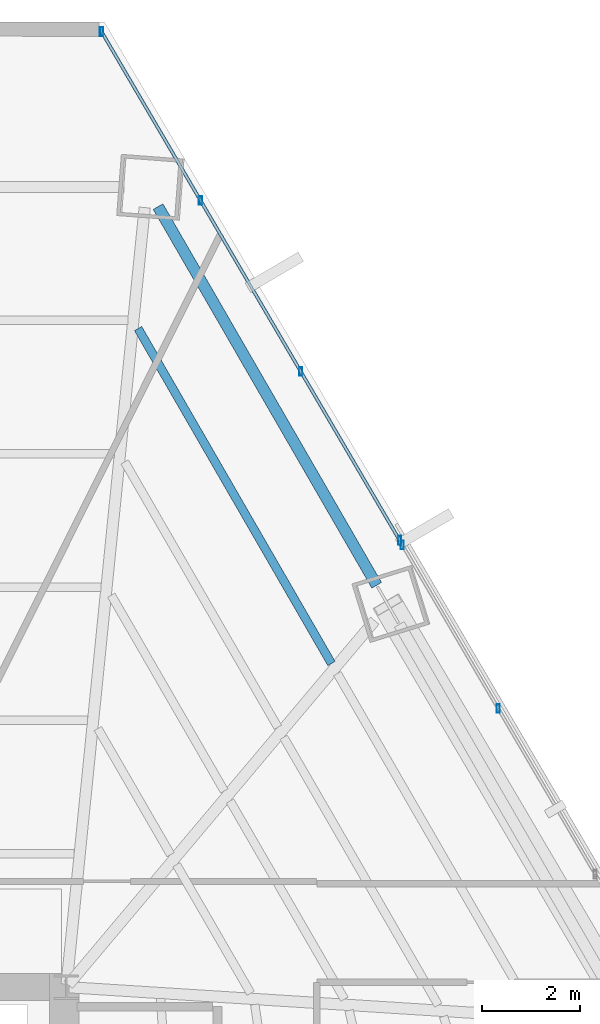
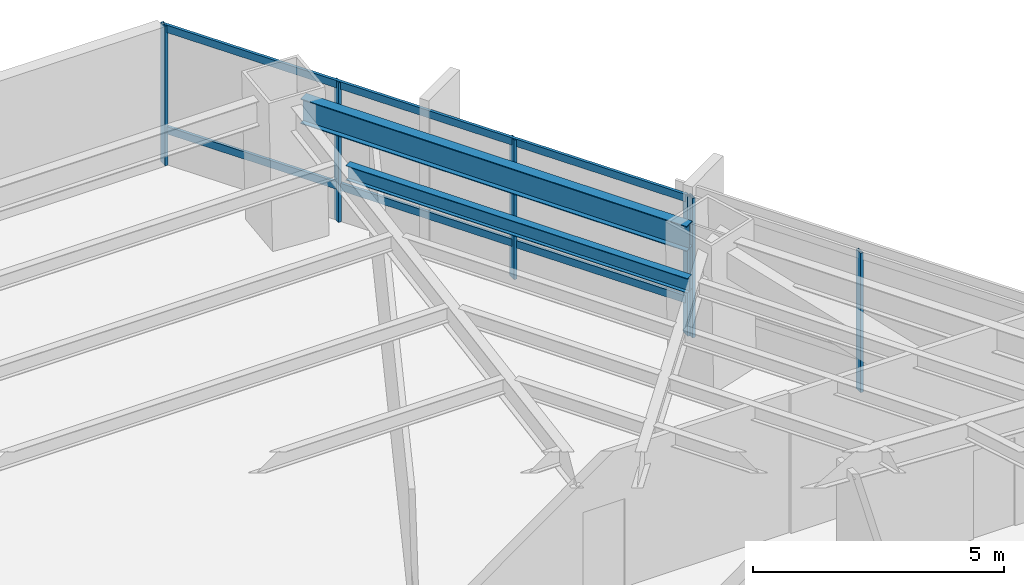
# One storey, part 22 of 29: 8 members, 2 beams, 2 elements without a shape of their own.
"""IFC4 building model written with IfcOpenShell, lengths in metres."""

import ifcopenshell
import ifcopenshell.guid

model = None  # the IFC model being written
_history = None  # IfcOwnerHistory: only IFC2X3 demands one
_inside = {}  # id of a spatial element -> (the spatial element, [elements in it])
_under = {}  # id of a project, library or spatial element -> (it, [spatial elements below it])
_declared = {}  # id of a project -> (the project, [libraries it declares])
_typed = {}  # id of a type object -> (the type object, [elements of that type])
_made_of = {}  # id of a material, layer set ... -> (it, [elements and type objects made of it])


def new_model(schema):
    """Start an empty IFC model of exactly this schema.

    Asked for "IFC4X3", IfcOpenShell would pick the latest addendum, in which some entities
    have other attributes; the version numbers below select the first issue.
    IFC2X3 requires an IfcOwnerHistory on every rooted entity: one is made here for all.
    """
    global model, _history
    if schema == "IFC4X3":
        model = ifcopenshell.file(schema_version=(4, 3, 0, 0))
    else:
        model = ifcopenshell.file(schema=schema)
    _inside.clear()
    _under.clear()
    _declared.clear()
    _typed.clear()
    _made_of.clear()
    _history = None
    if model.schema == "IFC2X3":
        org = make("IfcOrganization", Name="unknown")
        user = make(
            "IfcPersonAndOrganization",
            ThePerson=make("IfcPerson", FamilyName="unknown"),
            TheOrganization=org,
        )
        app = make(
            "IfcApplication",
            ApplicationDeveloper=org,
            Version="unknown",
            ApplicationFullName="unknown",
            ApplicationIdentifier="unknown",
        )
        _history = make(
            "IfcOwnerHistory",
            OwningUser=user,
            OwningApplication=app,
            ChangeAction="ADDED",
            CreationDate=0,
        )
    return model


def make(cls, **values):
    """One entity of the class cls with the attributes given. An attribute that is None is left unset."""
    return model.create_entity(
        cls, **{name: value for name, value in values.items() if value is not None}
    )


def rooted(cls, **values):
    """An entity with a GlobalId (a new one), such as an element, a storey or a relation."""
    return make(cls, GlobalId=ifcopenshell.guid.new(), OwnerHistory=_history, **values)


def si_unit(unit_type, name, prefix=None):
    """IfcSIUnit, for example si_unit("LENGTHUNIT", "METRE", prefix="MILLI")."""
    return make("IfcSIUnit", UnitType=unit_type, Prefix=prefix, Name=name)


def assignment(units):
    """IfcUnitAssignment: the units of a project."""
    return None if units is None else make("IfcUnitAssignment", Units=units)


def point(xyz):
    """IfcCartesianPoint."""
    return None if xyz is None else make("IfcCartesianPoint", Coordinates=xyz)


def direction(xyz):
    """IfcDirection."""
    return None if xyz is None else make("IfcDirection", DirectionRatios=xyz)


def frame(location, z_axis=None, x_axis=None):
    """IfcAxis2Placement3D, a coordinate frame: its origin and axes. An axis left out is left unset."""
    return make(
        "IfcAxis2Placement3D",
        Location=point(location),
        Axis=direction(z_axis),
        RefDirection=direction(x_axis),
    )


def frame_2d(location, x_axis=None):
    """IfcAxis2Placement2D, a coordinate frame in the plane: its origin and x axis."""
    return make(
        "IfcAxis2Placement2D", Location=point(location), RefDirection=direction(x_axis)
    )


def origin():
    """The frame at (0, 0, 0) with its axes left unset."""
    return frame((0.0, 0.0, 0.0))


def origin_2d():
    """The frame at (0, 0) in the plane with its x axis left unset."""
    return frame_2d((0.0, 0.0))


def place(relative_to, where):
    """IfcLocalPlacement: puts the frame where relative to a parent placement (None: the world)."""
    return make(
        "IfcLocalPlacement", PlacementRelTo=relative_to, RelativePlacement=where
    )


def context(
    kind, dimensions, precision=None, world=None, true_north=None, identifier=None
):
    """IfcGeometricRepresentationContext, for example the 3D "Model" context."""
    return make(
        "IfcGeometricRepresentationContext",
        ContextIdentifier=identifier,
        ContextType=kind,
        CoordinateSpaceDimension=dimensions,
        Precision=precision,
        WorldCoordinateSystem=world,
        TrueNorth=true_north,
    )


def subcontext(parent, identifier, kind, view, scale=None):
    """IfcGeometricRepresentationSubContext, for example "Body" below "Model"."""
    return make(
        "IfcGeometricRepresentationSubContext",
        ContextIdentifier=identifier,
        ContextType=kind,
        ParentContext=parent,
        TargetScale=scale,
        TargetView=view,
    )


def project(units=None, contexts=None):
    """IfcProject with its units and contexts."""
    return rooted(
        "IfcProject",
        Name="project",
        RepresentationContexts=contexts,
        UnitsInContext=assignment(units),
    )


def spatial(cls, under=None, at=None, **own):
    """A site, building, storey or space (cls), placed at a placement, below another one or the project."""
    s = rooted(cls, ObjectPlacement=at, **own)
    if under is not None:
        _under.setdefault(under.id(), (under, []))[1].append(s)
    return s


def profile(cls, at=None, kind="AREA", **sizes):
    """A parametric profile (cls). Its sizes go by their IFC names, for example OverallWidth=200.0."""
    return make(cls, ProfileType=kind, Position=at, **sizes)


def hollow_rectangle(**sizes):
    """IfcRectangleHollowProfileDef."""
    return profile("IfcRectangleHollowProfileDef", **sizes)


def i_section(**sizes):
    """IfcIShapeProfileDef."""
    return profile("IfcIShapeProfileDef", **sizes)


def extrude(swept, where, along, depth):
    """IfcExtrudedAreaSolid: the profile swept, set in the frame where, extruded along a direction by depth."""
    return make(
        "IfcExtrudedAreaSolid",
        SweptArea=swept,
        Position=where,
        ExtrudedDirection=direction(along),
        Depth=depth,
    )


def shape(context_of_items, identifier, shape_type, items):
    """IfcShapeRepresentation: the items that make up one representation, for example the "Body"."""
    return make(
        "IfcShapeRepresentation",
        ContextOfItems=context_of_items,
        RepresentationIdentifier=identifier,
        RepresentationType=shape_type,
        Items=items,
    )


def source(mapping_origin, context_of_items, identifier, shape_type, items):
    """IfcRepresentationMap: a shape defined once, which mapped items show again and again."""
    return make(
        "IfcRepresentationMap",
        MappingOrigin=mapping_origin,
        MappedRepresentation=shape(context_of_items, identifier, shape_type, items),
    )


def transform(
    local_origin,
    x_axis=None,
    y_axis=None,
    z_axis=None,
    scale=None,
    scale2=None,
    scale3=None,
    uniform=True,
):
    """IfcCartesianTransformationOperator3D, or its non-uniform kind. x_axis, y_axis, z_axis: its Axis1, 2, 3."""
    if uniform:
        return make(
            "IfcCartesianTransformationOperator3D",
            Axis1=direction(x_axis),
            Axis2=direction(y_axis),
            LocalOrigin=point(local_origin),
            Scale=scale,
            Axis3=direction(z_axis),
        )
    return make(
        "IfcCartesianTransformationOperator3DnonUniform",
        Axis1=direction(x_axis),
        Axis2=direction(y_axis),
        LocalOrigin=point(local_origin),
        Scale=scale,
        Axis3=direction(z_axis),
        Scale2=scale2,
        Scale3=scale3,
    )


def mapped(mapping_source, mapping_target):
    """IfcMappedItem: shows the shape of a source again, moved by a transform."""
    return make(
        "IfcMappedItem", MappingSource=mapping_source, MappingTarget=mapping_target
    )


def material(Name=None, Category=None):
    """IfcMaterial."""
    return make("IfcMaterial", Name=Name, Category=Category)


def material_profile(
    of_material, cross_section, Name=None, Category=None, Priority=None
):
    """IfcMaterialProfile: a cross section and its material."""
    return make(
        "IfcMaterialProfile",
        Name=Name,
        Material=of_material,
        Profile=cross_section,
        Priority=Priority,
        Category=Category,
    )


def profile_set(profiles, Name=None, composite=None):
    """IfcMaterialProfileSet."""
    return make(
        "IfcMaterialProfileSet",
        Name=Name,
        MaterialProfiles=profiles,
        CompositeProfile=composite,
    )


def made_of(thing, what):
    """Note that an element or type object is made of a material, layer set ...; save() writes the relation."""
    if what is not None:
        _made_of.setdefault(what.id(), (what, []))[1].append(thing)
    return thing


def type_object(cls, material=None, **own):
    """A type object (cls), such as IfcWallType, which elements share."""
    return made_of(rooted(cls, **own), material)


def type_shapes(of_type, sources):
    """Give a type object the sources (RepresentationMaps) that its elements show as mapped items."""
    of_type.RepresentationMaps = sources


def element(
    cls,
    number,
    at=None,
    inside=None,
    cuts=None,
    type_object=None,
    material=None,
    context=None,
    identifier="Body",
    shape_type=None,
    held_by="IfcProductDefinitionShape",
    body=None,
    shapes=None,
    **own,
):
    """One element of the class cls, such as IfcWall. Its Tag is "e" and its number.

    at: its placement. inside: the storey or other place that contains it. cuts: it is an
    opening in that element (IfcRelVoidsElement). A single representation is given by context,
    identifier, shape_type and body (its items); several are given by shapes. held_by: the class
    of the entity that holds the representations. save() writes the other relations.
    """
    e = rooted(cls, Tag="e%d" % number, ObjectPlacement=at, **own)
    if body is not None:
        shapes = [shape(context, identifier, shape_type, body)]
    if shapes is not None:
        e.Representation = make(held_by, Representations=shapes)
    if inside is not None:
        _inside.setdefault(inside.id(), (inside, []))[1].append(e)
    if cuts is not None:
        rooted(
            "IfcRelVoidsElement", RelatingBuildingElement=cuts, RelatedOpeningElement=e
        )
    if type_object is not None:
        _typed.setdefault(type_object.id(), (type_object, []))[1].append(e)
    return made_of(e, material)


def aggregate(whole, parts):
    """IfcRelAggregates: a whole, such as a stair, and the parts it consists of."""
    return rooted("IfcRelAggregates", RelatingObject=whole, RelatedObjects=parts)


def save(model, path):
    """Write the relations noted so far, then the file.

    IfcRelAggregates (storeys below a building ...), IfcRelContainedInSpatialStructure (elements
    in a storey), IfcRelDefinesByType, IfcRelAssociatesMaterial and IfcRelDeclares: one each for
    every whole, place, type object, material and project.
    """
    for whole, parts in _under.values():
        aggregate(whole, parts)
    for where, things in _inside.values():
        rooted(
            "IfcRelContainedInSpatialStructure",
            RelatedElements=things,
            RelatingStructure=where,
        )
    for kind, things in _typed.values():
        rooted("IfcRelDefinesByType", RelatedObjects=things, RelatingType=kind)
    for what, things in _made_of.values():
        rooted("IfcRelAssociatesMaterial", RelatedObjects=things, RelatingMaterial=what)
    for by, libraries in _declared.values():
        rooted("IfcRelDeclares", RelatingContext=by, RelatedDefinitions=libraries)
    model.write(path)


model = new_model("IFC4")

# Units and contexts
model_context = context("Model", 3, precision=1e-05, world=origin(), true_north=direction((0.0, 1.0)))
body_context = subcontext(model_context, "Body", "Model", "MODEL_VIEW")
ifc_project = project(units=[si_unit("LENGTHUNIT", "METRE"), si_unit("AREAUNIT", "SQUARE_METRE"), si_unit("VOLUMEUNIT", "CUBIC_METRE"), si_unit("PLANEANGLEUNIT", "RADIAN"), si_unit("MASSUNIT", "GRAM", prefix="KILO")], contexts=[model_context])

# Site, building, storey
site_placement = place(None, origin())
site = spatial("IfcSite", under=ifc_project, at=site_placement, CompositionType="ELEMENT")
building_placement = place(site_placement, origin())
building = spatial("IfcBuilding", under=site, at=building_placement, Name="Caelisora Broadcast Tower", CompositionType="ELEMENT")
storey_placement = place(building_placement, frame((0.0, 0.0, 31.25)))
storey = spatial("IfcBuildingStorey", under=building, at=storey_placement, Name="L07", CompositionType="ELEMENT", Elevation=31.25)

# Beams
ifc_material_1 = material(Name="Steel Grade 350 (AS/NZS 3679.1)", Category="steel")
ifc_material_profile_1 = material_profile(ifc_material_1, i_section(OverallWidth=0.22900390625, OverallDepth=0.611572265625, WebThickness=0.011962890625, FlangeThickness=0.01953125, at=origin_2d()), Name="Steel Grade 350 (AS/NZS 3679.1)")
ifc_profile_set_1 = profile_set([ifc_material_profile_1], Name="Steel Grade 350 (AS/NZS 3679.1)")
beam_type_1 = type_object("IfcBeamType", Name="PG03", PredefinedType="BEAM", material=ifc_profile_set_1)
shared_shape_1 = source(origin(), body_context, "Body", "SweptSolid", [
    extrude(i_section(OverallWidth=0.22900390625, OverallDepth=0.611572265625, WebThickness=0.011962890625, FlangeThickness=0.01953125, at=origin_2d()), origin(), (0.0, 0.0, 1.0), 8.900390625),
])
type_shapes(beam_type_1, [shared_shape_1])
beam_1_placement = place(storey_placement, frame((51.8173828125, 38.178466796875, 3.09423828125), z_axis=(-0.49999788721, 0.866026623601, 0.0), x_axis=(-0.866026623601, -0.49999788721, 0.0)))
element("IfcBeam", 1, at=beam_1_placement, inside=storey, type_object=beam_type_1, Name="L07 beam PG03", PredefinedType="BEAM", context=body_context, shape_type="MappedRepresentation", body=[
    mapped(shared_shape_1, transform((0.0, 0.0, 0.0), scale=1.0)),
])
ifc_material_profile_2 = material_profile(ifc_material_1, i_section(OverallWidth=0.172119140625, OverallDepth=0.358642578125, WebThickness=0.008056640625, FlangeThickness=0.012939453125, at=origin_2d()), Name="Steel Grade 350 (AS/NZS 3679.1)")
ifc_profile_set_2 = profile_set([ifc_material_profile_2], Name="Steel Grade 350 (AS/NZS 3679.1)")
beam_type_2 = type_object("IfcBeamType", Name="SB02", PredefinedType="JOIST", material=ifc_profile_set_2)
shared_shape_2 = source(origin(), body_context, "Body", "SweptSolid", [
    extrude(i_section(OverallWidth=0.172119140625, OverallDepth=0.358642578125, WebThickness=0.008056640625, FlangeThickness=0.012939453125, at=origin_2d()), origin(), (0.0, 0.0, 1.0), 7.873046875),
])
type_shapes(beam_type_2, [shared_shape_2])
beam_2_placement = place(storey_placement, frame((50.89697265625, 36.5859375, 3.220703125), z_axis=(-0.49999445743, 0.866028603765, 0.0), x_axis=(-0.866028603765, -0.49999445743, 0.0)))
element("IfcBeam", 2, at=beam_2_placement, inside=storey, type_object=beam_type_2, Name="L07 beam SB02", PredefinedType="JOIST", context=body_context, shape_type="MappedRepresentation", body=[
    mapped(shared_shape_2, transform((0.0, 0.0, 0.0), scale=1.0)),
])

# Curtain wall, members
ifc_material_2 = material(Name="Unitised Aluminium and Low-E Glass Curtain Wall", Category="glass")
curtain_wall_type_1 = type_object("IfcCurtainWallType", Name="CW-Z1", PredefinedType="NOTDEFINED", material=ifc_material_2)
curtain_wall_1_placement = place(storey_placement, origin())
curtain_wall_1 = element("IfcCurtainWall", 3, at=curtain_wall_1_placement, inside=storey, type_object=curtain_wall_type_1, Name="L07 curtain wall CW-Z1", PredefinedType="NOTDEFINED")
ifc_material_3 = material(Name="Aluminium 6063-T6 Anodised Terracotta Bronze", Category="aluminium")
ifc_material_profile_3 = material_profile(ifc_material_3, hollow_rectangle(XDim=0.06494140625, YDim=0.179931640625, WallThickness=0.00341796875, at=origin_2d()), Name="Aluminium 6063-T6 Anodised Terracotta Bronze")
ifc_profile_set_3 = profile_set([ifc_material_profile_3], Name="Aluminium 6063-T6 Anodised Terracotta Bronze")
member_type_1 = type_object("IfcMemberType", Name="CWM-02", PredefinedType="MULLION", material=ifc_profile_set_3)
shared_shape_3 = source(origin(), body_context, "Body", "SweptSolid", [
    extrude(hollow_rectangle(XDim=0.06494140625, YDim=0.179931640625, WallThickness=0.00341796875, at=origin_2d()), origin(), (0.0, 0.0, 1.0), 3.39990234375),
])
type_shapes(member_type_1, [shared_shape_3])
member_1_placement = place(storey_placement, frame((46.21728515625, 49.447021484375, 0.0), z_axis=(0.0, 0.0, 1.0), x_axis=(1.0, 0.0, 0.0)))
member_1 = element("IfcMember", 4, at=member_1_placement, type_object=member_type_1, Name="L07-CW-B01 mullion #0", PredefinedType="MULLION", context=body_context, shape_type="MappedRepresentation", body=[
    mapped(shared_shape_3, transform((0.0, 0.0, 0.0), scale=1.0)),
])
member_2_placement = place(storey_placement, frame((48.2314453125, 46.01025390625, 0.0), z_axis=(0.0, 0.0, 1.0), x_axis=(1.0, 0.0, 0.0)))
member_2 = element("IfcMember", 5, at=member_2_placement, type_object=member_type_1, Name="L07-CW-B01 mullion #1", PredefinedType="MULLION", context=body_context, shape_type="MappedRepresentation", body=[
    mapped(shared_shape_3, transform((0.0, 0.0, 0.0), scale=1.0)),
])
member_3_placement = place(storey_placement, frame((50.270751953125, 42.5302734375, 0.0), z_axis=(0.0, 0.0, 1.0), x_axis=(1.0, 0.0, 0.0)))
member_3 = element("IfcMember", 6, at=member_3_placement, type_object=member_type_1, Name="L07-CW-B01 mullion #2", PredefinedType="MULLION", context=body_context, shape_type="MappedRepresentation", body=[
    mapped(shared_shape_3, transform((0.0, 0.0, 0.0), scale=1.0)),
])
member_4_placement = place(storey_placement, frame((52.284912109375, 39.093505859375, 0.0), z_axis=(0.0, 0.0, 1.0), x_axis=(1.0, 0.0, 0.0)))
member_4 = element("IfcMember", 7, at=member_4_placement, type_object=member_type_1, Name="L07-CW-B01 mullion #3", PredefinedType="MULLION", context=body_context, shape_type="MappedRepresentation", body=[
    mapped(shared_shape_3, transform((0.0, 0.0, 0.0), scale=1.0)),
])

ifc_material_4 = material(Name="Unitised Aluminium Insulated Shadow-Box Spandrel Curtain Wall", Category="aluminium")
curtain_wall_type_2 = type_object("IfcCurtainWallType", Name="CW-SP1", PredefinedType="NOTDEFINED", material=ifc_material_4)
curtain_wall_2_placement = place(storey_placement, origin())
curtain_wall_2 = element("IfcCurtainWall", 8, at=curtain_wall_2_placement, inside=storey, type_object=curtain_wall_type_2, Name="L07 curtain wall CW-SP1", PredefinedType="NOTDEFINED")
member_5_placement = place(storey_placement, frame((52.340576171875, 38.998779296875, 0.0), z_axis=(0.0, 0.0, 1.0), x_axis=(1.0, 0.0, 0.0)))
member_5 = element("IfcMember", 9, at=member_5_placement, type_object=member_type_1, Name="L07-CW-B02 mullion #0", PredefinedType="MULLION", context=body_context, shape_type="MappedRepresentation", body=[
    mapped(shared_shape_3, transform((0.0, 0.0, 0.0), scale=1.0)),
])
member_6_placement = place(storey_placement, frame((54.2919921875, 35.669189453125, 0.0), z_axis=(0.0, 0.0, 1.0), x_axis=(1.0, 0.0, 0.0)))
member_6 = element("IfcMember", 10, at=member_6_placement, type_object=member_type_1, Name="L07-CW-B02 mullion #1", PredefinedType="MULLION", context=body_context, shape_type="MappedRepresentation", body=[
    mapped(shared_shape_3, transform((0.0, 0.0, 0.0), scale=1.0)),
])
aggregate(curtain_wall_2, [member_5, member_6])

# Member
ifc_material_profile_4 = material_profile(ifc_material_3, hollow_rectangle(XDim=0.06494140625, YDim=0.179931640625, WallThickness=0.00341796875, at=origin_2d()), Name="Aluminium 6063-T6 Anodised Terracotta Bronze")
ifc_profile_set_4 = profile_set([ifc_material_profile_4], Name="Aluminium 6063-T6 Anodised Terracotta Bronze")
member_type_2 = type_object("IfcMemberType", Name="CWT-01", PredefinedType="USERDEFINED", material=ifc_profile_set_4)
shared_shape_4 = source(origin(), body_context, "Body", "SweptSolid", [
    extrude(hollow_rectangle(XDim=0.06494140625, YDim=0.179931640625, WallThickness=0.00341796875, at=origin_2d()), origin(), (0.0, 0.0, 1.0), 12.00048828125),
])
type_shapes(member_type_2, [shared_shape_4])
member_7_placement = place(storey_placement, frame((46.21728515625, 49.447021484375, 0.85009765625), z_axis=(0.50561559635, -0.862758870559, 0.0), x_axis=(0.862758870559, 0.50561559635, 0.0)))
member_7 = element("IfcMember", 11, at=member_7_placement, type_object=member_type_2, Name="L07-CW-B01 transom #1", ObjectType="TRANSOM", PredefinedType="USERDEFINED", context=body_context, shape_type="MappedRepresentation", body=[
    mapped(shared_shape_4, transform((0.0, 0.0, 0.0), scale=1.0)),
])

member_8_placement = place(storey_placement, frame((46.21728515625, 49.447021484375, 3.320068359375), z_axis=(0.50561559635, -0.862758870559, 0.0), x_axis=(0.862758870559, 0.50561559635, 0.0)))
member_8 = element("IfcMember", 12, at=member_8_placement, type_object=member_type_2, Name="L07-CW-B01 transom #2", ObjectType="TRANSOM", PredefinedType="USERDEFINED", context=body_context, shape_type="MappedRepresentation", body=[
    mapped(shared_shape_4, transform((0.0, 0.0, 0.0), scale=1.0)),
])

aggregate(curtain_wall_1, [member_1, member_2, member_3, member_4, member_7, member_8])

save(model, "model.ifc")
